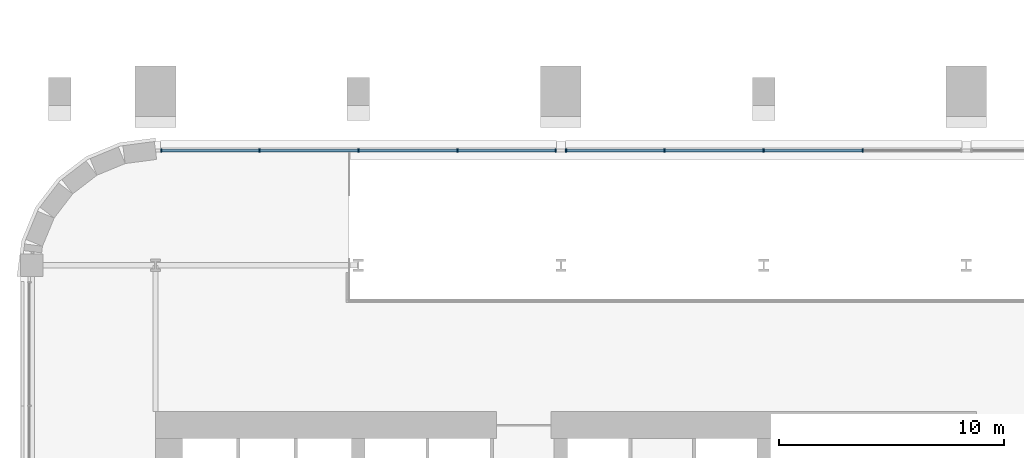
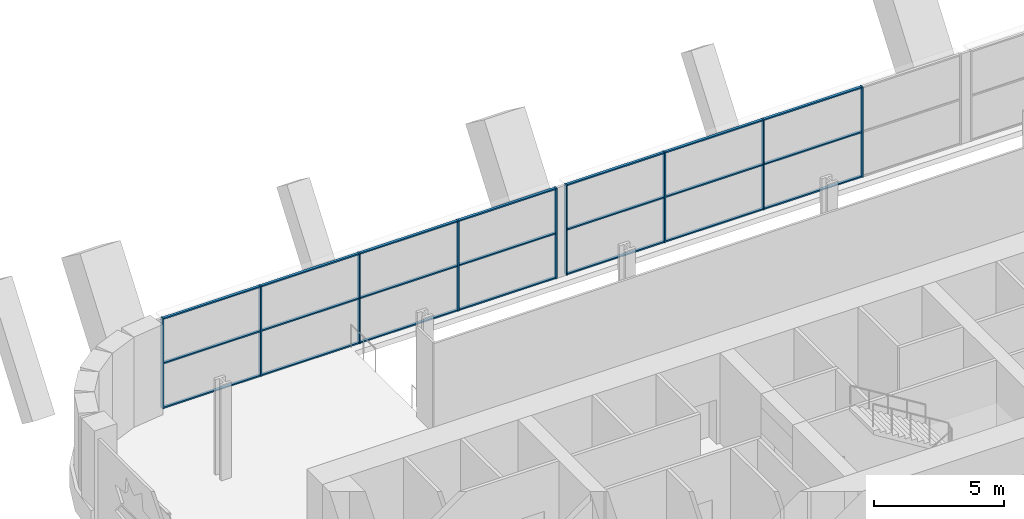
# One storey, part 8 of 21: 30 members, 2 elements without a shape of their own.
"""IFC4 building model written with IfcOpenShell, lengths in metres."""

import ifcopenshell
import ifcopenshell.guid

model = None  # the IFC model being written
_history = None  # IfcOwnerHistory: only IFC2X3 demands one
_inside = {}  # id of a spatial element -> (the spatial element, [elements in it])
_under = {}  # id of a project, library or spatial element -> (it, [spatial elements below it])
_declared = {}  # id of a project -> (the project, [libraries it declares])
_typed = {}  # id of a type object -> (the type object, [elements of that type])
_made_of = {}  # id of a material, layer set ... -> (it, [elements and type objects made of it])


def new_model(schema):
    """Start an empty IFC model of exactly this schema.

    Asked for "IFC4X3", IfcOpenShell would pick the latest addendum, in which some entities
    have other attributes; the version numbers below select the first issue.
    IFC2X3 requires an IfcOwnerHistory on every rooted entity: one is made here for all.
    """
    global model, _history
    if schema == "IFC4X3":
        model = ifcopenshell.file(schema_version=(4, 3, 0, 0))
    else:
        model = ifcopenshell.file(schema=schema)
    _inside.clear()
    _under.clear()
    _declared.clear()
    _typed.clear()
    _made_of.clear()
    _history = None
    if model.schema == "IFC2X3":
        org = make("IfcOrganization", Name="unknown")
        user = make(
            "IfcPersonAndOrganization",
            ThePerson=make("IfcPerson", FamilyName="unknown"),
            TheOrganization=org,
        )
        app = make(
            "IfcApplication",
            ApplicationDeveloper=org,
            Version="unknown",
            ApplicationFullName="unknown",
            ApplicationIdentifier="unknown",
        )
        _history = make(
            "IfcOwnerHistory",
            OwningUser=user,
            OwningApplication=app,
            ChangeAction="ADDED",
            CreationDate=0,
        )
    return model


def make(cls, **values):
    """One entity of the class cls with the attributes given. An attribute that is None is left unset."""
    return model.create_entity(
        cls, **{name: value for name, value in values.items() if value is not None}
    )


def rooted(cls, **values):
    """An entity with a GlobalId (a new one), such as an element, a storey or a relation."""
    return make(cls, GlobalId=ifcopenshell.guid.new(), OwnerHistory=_history, **values)


def si_unit(unit_type, name, prefix=None):
    """IfcSIUnit, for example si_unit("LENGTHUNIT", "METRE", prefix="MILLI")."""
    return make("IfcSIUnit", UnitType=unit_type, Prefix=prefix, Name=name)


def assignment(units):
    """IfcUnitAssignment: the units of a project."""
    return None if units is None else make("IfcUnitAssignment", Units=units)


def point(xyz):
    """IfcCartesianPoint."""
    return None if xyz is None else make("IfcCartesianPoint", Coordinates=xyz)


def direction(xyz):
    """IfcDirection."""
    return None if xyz is None else make("IfcDirection", DirectionRatios=xyz)


def frame(location, z_axis=None, x_axis=None):
    """IfcAxis2Placement3D, a coordinate frame: its origin and axes. An axis left out is left unset."""
    return make(
        "IfcAxis2Placement3D",
        Location=point(location),
        Axis=direction(z_axis),
        RefDirection=direction(x_axis),
    )


def frame_2d(location, x_axis=None):
    """IfcAxis2Placement2D, a coordinate frame in the plane: its origin and x axis."""
    return make(
        "IfcAxis2Placement2D", Location=point(location), RefDirection=direction(x_axis)
    )


def origin():
    """The frame at (0, 0, 0) with its axes left unset."""
    return frame((0.0, 0.0, 0.0))


def origin_2d():
    """The frame at (0, 0) in the plane with its x axis left unset."""
    return frame_2d((0.0, 0.0))


def place(relative_to, where):
    """IfcLocalPlacement: puts the frame where relative to a parent placement (None: the world)."""
    return make(
        "IfcLocalPlacement", PlacementRelTo=relative_to, RelativePlacement=where
    )


def context(
    kind, dimensions, precision=None, world=None, true_north=None, identifier=None
):
    """IfcGeometricRepresentationContext, for example the 3D "Model" context."""
    return make(
        "IfcGeometricRepresentationContext",
        ContextIdentifier=identifier,
        ContextType=kind,
        CoordinateSpaceDimension=dimensions,
        Precision=precision,
        WorldCoordinateSystem=world,
        TrueNorth=true_north,
    )


def subcontext(parent, identifier, kind, view, scale=None):
    """IfcGeometricRepresentationSubContext, for example "Body" below "Model"."""
    return make(
        "IfcGeometricRepresentationSubContext",
        ContextIdentifier=identifier,
        ContextType=kind,
        ParentContext=parent,
        TargetScale=scale,
        TargetView=view,
    )


def project(units=None, contexts=None):
    """IfcProject with its units and contexts."""
    return rooted(
        "IfcProject",
        Name="project",
        RepresentationContexts=contexts,
        UnitsInContext=assignment(units),
    )


def spatial(cls, under=None, at=None, **own):
    """A site, building, storey or space (cls), placed at a placement, below another one or the project."""
    s = rooted(cls, ObjectPlacement=at, **own)
    if under is not None:
        _under.setdefault(under.id(), (under, []))[1].append(s)
    return s


def profile(cls, at=None, kind="AREA", **sizes):
    """A parametric profile (cls). Its sizes go by their IFC names, for example OverallWidth=200.0."""
    return make(cls, ProfileType=kind, Position=at, **sizes)


def rectangle(**sizes):
    """IfcRectangleProfileDef."""
    return profile("IfcRectangleProfileDef", **sizes)


def extrude(swept, where, along, depth):
    """IfcExtrudedAreaSolid: the profile swept, set in the frame where, extruded along a direction by depth."""
    return make(
        "IfcExtrudedAreaSolid",
        SweptArea=swept,
        Position=where,
        ExtrudedDirection=direction(along),
        Depth=depth,
    )


def shape(context_of_items, identifier, shape_type, items):
    """IfcShapeRepresentation: the items that make up one representation, for example the "Body"."""
    return make(
        "IfcShapeRepresentation",
        ContextOfItems=context_of_items,
        RepresentationIdentifier=identifier,
        RepresentationType=shape_type,
        Items=items,
    )


def material(Name=None, Category=None):
    """IfcMaterial."""
    return make("IfcMaterial", Name=Name, Category=Category)


def material_profile(
    of_material, cross_section, Name=None, Category=None, Priority=None
):
    """IfcMaterialProfile: a cross section and its material."""
    return make(
        "IfcMaterialProfile",
        Name=Name,
        Material=of_material,
        Profile=cross_section,
        Priority=Priority,
        Category=Category,
    )


def profile_set(profiles, Name=None, composite=None):
    """IfcMaterialProfileSet."""
    return make(
        "IfcMaterialProfileSet",
        Name=Name,
        MaterialProfiles=profiles,
        CompositeProfile=composite,
    )


def made_of(thing, what):
    """Note that an element or type object is made of a material, layer set ...; save() writes the relation."""
    if what is not None:
        _made_of.setdefault(what.id(), (what, []))[1].append(thing)
    return thing


def type_object(cls, material=None, **own):
    """A type object (cls), such as IfcWallType, which elements share."""
    return made_of(rooted(cls, **own), material)


def element(
    cls,
    number,
    at=None,
    inside=None,
    cuts=None,
    type_object=None,
    material=None,
    context=None,
    identifier="Body",
    shape_type=None,
    held_by="IfcProductDefinitionShape",
    body=None,
    shapes=None,
    **own,
):
    """One element of the class cls, such as IfcWall. Its Tag is "e" and its number.

    at: its placement. inside: the storey or other place that contains it. cuts: it is an
    opening in that element (IfcRelVoidsElement). A single representation is given by context,
    identifier, shape_type and body (its items); several are given by shapes. held_by: the class
    of the entity that holds the representations. save() writes the other relations.
    """
    e = rooted(cls, Tag="e%d" % number, ObjectPlacement=at, **own)
    if body is not None:
        shapes = [shape(context, identifier, shape_type, body)]
    if shapes is not None:
        e.Representation = make(held_by, Representations=shapes)
    if inside is not None:
        _inside.setdefault(inside.id(), (inside, []))[1].append(e)
    if cuts is not None:
        rooted(
            "IfcRelVoidsElement", RelatingBuildingElement=cuts, RelatedOpeningElement=e
        )
    if type_object is not None:
        _typed.setdefault(type_object.id(), (type_object, []))[1].append(e)
    return made_of(e, material)


def aggregate(whole, parts):
    """IfcRelAggregates: a whole, such as a stair, and the parts it consists of."""
    return rooted("IfcRelAggregates", RelatingObject=whole, RelatedObjects=parts)


def save(model, path):
    """Write the relations noted so far, then the file.

    IfcRelAggregates (storeys below a building ...), IfcRelContainedInSpatialStructure (elements
    in a storey), IfcRelDefinesByType, IfcRelAssociatesMaterial and IfcRelDeclares: one each for
    every whole, place, type object, material and project.
    """
    for whole, parts in _under.values():
        aggregate(whole, parts)
    for where, things in _inside.values():
        rooted(
            "IfcRelContainedInSpatialStructure",
            RelatedElements=things,
            RelatingStructure=where,
        )
    for kind, things in _typed.values():
        rooted("IfcRelDefinesByType", RelatedObjects=things, RelatingType=kind)
    for what, things in _made_of.values():
        rooted("IfcRelAssociatesMaterial", RelatedObjects=things, RelatingMaterial=what)
    for by, libraries in _declared.values():
        rooted("IfcRelDeclares", RelatingContext=by, RelatedDefinitions=libraries)
    model.write(path)


model = new_model("IFC4")

# Units and contexts
model_context = context("Model", 3, precision=1e-05, world=origin(), true_north=direction((0.0, 1.0)))
body_context = subcontext(model_context, "Body", "Model", "MODEL_VIEW")
ifc_project = project(units=[si_unit("LENGTHUNIT", "METRE"), si_unit("AREAUNIT", "SQUARE_METRE"), si_unit("VOLUMEUNIT", "CUBIC_METRE"), si_unit("PLANEANGLEUNIT", "RADIAN"), si_unit("MASSUNIT", "GRAM", prefix="KILO")], contexts=[model_context])

# Site, building, storey
site_placement = place(None, origin())
site = spatial("IfcSite", under=ifc_project, at=site_placement, CompositionType="ELEMENT")
building_placement = place(site_placement, origin())
building = spatial("IfcBuilding", under=site, at=building_placement, Name="Zellij Exchange Tower", CompositionType="ELEMENT")
storey_placement = place(building_placement, frame((0.0, 0.0, 43.5)))
storey = spatial("IfcBuildingStorey", under=building, at=storey_placement, Name="L07", CompositionType="ELEMENT", Elevation=43.5)

# Curtain wall, members
ifc_material_1 = material(Name="Aluminium frame, clear insulating glass", Category="aluminium")
curtain_wall_type = type_object("IfcCurtainWallType", Name="ENV-CW1 Sky-garden glazing", PredefinedType="NOTDEFINED", material=ifc_material_1)
curtain_wall_1_placement = place(storey_placement, origin())
curtain_wall_1 = element("IfcCurtainWall", 1, at=curtain_wall_1_placement, inside=storey, type_object=curtain_wall_type, Name="cw.L07.14b", PredefinedType="NOTDEFINED")
ifc_material_2 = material(Name="Aluminium", Category="aluminium")
ifc_material_profile_1 = material_profile(ifc_material_2, rectangle(XDim=0.06005859375, YDim=0.159912109375, at=origin_2d()), Name="AL 60x160")
ifc_profile_set_1 = profile_set([ifc_material_profile_1], Name="Aluminium")
member_type_1 = type_object("IfcMemberType", Name="ENV-CW1M Mullion 60x160", PredefinedType="MULLION", material=ifc_profile_set_1)
member_1_placement = place(storey_placement, frame((4.39990234375, 9.60009765625, 0.0), z_axis=(0.0, 0.0, 1.0), x_axis=(-1.0, 0.0, 0.0)))
member_1 = element("IfcMember", 2, at=member_1_placement, type_object=member_type_1, Name="CW1 mullion 2", PredefinedType="MULLION", context=body_context, shape_type="SweptSolid", body=[
    extrude(rectangle(XDim=0.06005859375, YDim=0.159912109375, at=origin_2d()), origin(), (0.0, 0.0, 1.0), 4.25),
])
member_2_placement = place(storey_placement, frame((0.0, 9.60009765625, 0.0), z_axis=(0.0, 0.0, 1.0), x_axis=(-1.0, 0.0, 0.0)))
member_2 = element("IfcMember", 3, at=member_2_placement, type_object=member_type_1, Name="CW1 mullion 3", PredefinedType="MULLION", context=body_context, shape_type="SweptSolid", body=[
    extrude(rectangle(XDim=0.06005859375, YDim=0.159912109375, at=origin_2d()), origin(), (0.0, 0.0, 1.0), 4.25),
])
member_3_placement = place(storey_placement, frame((-4.39990234375, 9.60009765625, 0.0), z_axis=(0.0, 0.0, 1.0), x_axis=(-1.0, 0.0, 0.0)))
member_3 = element("IfcMember", 4, at=member_3_placement, type_object=member_type_1, Name="CW1 mullion 4", PredefinedType="MULLION", context=body_context, shape_type="SweptSolid", body=[
    extrude(rectangle(XDim=0.06005859375, YDim=0.159912109375, at=origin_2d()), origin(), (0.0, 0.0, 1.0), 4.25),
])
member_4_placement = place(storey_placement, frame((-8.77001953125, 9.60009765625, 0.0), z_axis=(0.0, 0.0, 1.0), x_axis=(-1.0, 0.0, 0.0)))
member_4 = element("IfcMember", 5, at=member_4_placement, type_object=member_type_1, Name="CW1 mullion 5", PredefinedType="MULLION", context=body_context, shape_type="SweptSolid", body=[
    extrude(rectangle(XDim=0.06005859375, YDim=0.159912109375, at=origin_2d()), origin(), (0.0, 0.0, 1.0), 4.25),
])

curtain_wall_2_placement = place(storey_placement, origin())
curtain_wall_2 = element("IfcCurtainWall", 6, at=curtain_wall_2_placement, inside=storey, type_object=curtain_wall_type, Name="cw.L07.14c", PredefinedType="NOTDEFINED")
member_5_placement = place(storey_placement, frame((-9.22998046875, 9.60009765625, 0.0), z_axis=(0.0, 0.0, 1.0), x_axis=(-1.0, 0.0, 0.0)))
member_5 = element("IfcMember", 7, at=member_5_placement, type_object=member_type_1, Name="CW1 mullion 1", PredefinedType="MULLION", context=body_context, shape_type="SweptSolid", body=[
    extrude(rectangle(XDim=0.06005859375, YDim=0.159912109375, at=origin_2d()), origin(), (0.0, 0.0, 1.0), 4.25),
])
member_6_placement = place(storey_placement, frame((-13.593505859375, 9.60009765625, 0.0), z_axis=(0.0, 0.0, 1.0), x_axis=(-1.0, 0.0, 0.0)))
member_6 = element("IfcMember", 8, at=member_6_placement, type_object=member_type_1, Name="CW1 mullion 2", PredefinedType="MULLION", context=body_context, shape_type="SweptSolid", body=[
    extrude(rectangle(XDim=0.06005859375, YDim=0.159912109375, at=origin_2d()), origin(), (0.0, 0.0, 1.0), 4.25),
])
member_7_placement = place(storey_placement, frame((-17.98681640625, 9.60009765625, 0.0), z_axis=(0.0, 0.0, 1.0), x_axis=(-1.0, 0.0, 0.0)))
member_7 = element("IfcMember", 9, at=member_7_placement, type_object=member_type_1, Name="CW1 mullion 3", PredefinedType="MULLION", context=body_context, shape_type="SweptSolid", body=[
    extrude(rectangle(XDim=0.06005859375, YDim=0.159912109375, at=origin_2d()), origin(), (0.0, 0.0, 1.0), 4.25),
])
member_8_placement = place(storey_placement, frame((-22.38037109375, 9.60009765625, 0.0), z_axis=(0.0, 0.0, 1.0), x_axis=(-1.0, 0.0, 0.0)))
member_8 = element("IfcMember", 10, at=member_8_placement, type_object=member_type_1, Name="CW1 mullion 4", PredefinedType="MULLION", context=body_context, shape_type="SweptSolid", body=[
    extrude(rectangle(XDim=0.06005859375, YDim=0.159912109375, at=origin_2d()), origin(), (0.0, 0.0, 1.0), 4.25),
])
member_9_placement = place(storey_placement, frame((-26.743896484375, 9.60009765625, 0.0), z_axis=(0.0, 0.0, 1.0), x_axis=(-1.0, 0.0, 0.0)))
member_9 = element("IfcMember", 11, at=member_9_placement, type_object=member_type_1, Name="CW1 mullion 5", PredefinedType="MULLION", context=body_context, shape_type="SweptSolid", body=[
    extrude(rectangle(XDim=0.06005859375, YDim=0.159912109375, at=origin_2d()), origin(), (0.0, 0.0, 1.0), 4.25),
])

# Member
ifc_material_profile_2 = material_profile(ifc_material_2, rectangle(XDim=0.1201171875, YDim=0.06005859375, at=origin_2d()), Name="AL 120x60")
ifc_profile_set_2 = profile_set([ifc_material_profile_2], Name="Aluminium")
member_type_2 = type_object("IfcMemberType", Name="ENV-CW1T Transom 120x60", PredefinedType="USERDEFINED", material=ifc_profile_set_2)
member_10_placement = place(storey_placement, frame((4.3701171875, 9.60009765625, 0.030029296875), z_axis=(-1.0, 0.0, 0.0), x_axis=(0.0, -1.0, 0.0)))
member_10 = element("IfcMember", 12, at=member_10_placement, type_object=member_type_2, Name="CW1 transom 2.1", ObjectType="TRANSOM", PredefinedType="USERDEFINED", context=body_context, shape_type="SweptSolid", body=[
    extrude(rectangle(XDim=0.1201171875, YDim=0.06005859375, at=origin_2d()), origin(), (0.0, 0.0, 1.0), 4.340087890625),
])

member_11_placement = place(storey_placement, frame((4.3701171875, 9.60009765625, 2.125), z_axis=(-1.0, 0.0, 0.0), x_axis=(0.0, -1.0, 0.0)))
member_11 = element("IfcMember", 13, at=member_11_placement, type_object=member_type_2, Name="CW1 transom 2.2", ObjectType="TRANSOM", PredefinedType="USERDEFINED", context=body_context, shape_type="SweptSolid", body=[
    extrude(rectangle(XDim=0.1201171875, YDim=0.06005859375, at=origin_2d()), origin(), (0.0, 0.0, 1.0), 4.340087890625),
])

member_12_placement = place(storey_placement, frame((4.3701171875, 9.60009765625, 4.219970703125), z_axis=(-1.0, 0.0, 0.0), x_axis=(0.0, -1.0, 0.0)))
member_12 = element("IfcMember", 14, at=member_12_placement, type_object=member_type_2, Name="CW1 transom 2.3", ObjectType="TRANSOM", PredefinedType="USERDEFINED", context=body_context, shape_type="SweptSolid", body=[
    extrude(rectangle(XDim=0.1201171875, YDim=0.06005859375, at=origin_2d()), origin(), (0.0, 0.0, 1.0), 4.340087890625),
])

member_13_placement = place(storey_placement, frame((-0.030029296875, 9.60009765625, 0.030029296875), z_axis=(-1.0, 0.0, 0.0), x_axis=(0.0, -1.0, 0.0)))
member_13 = element("IfcMember", 15, at=member_13_placement, type_object=member_type_2, Name="CW1 transom 3.1", ObjectType="TRANSOM", PredefinedType="USERDEFINED", context=body_context, shape_type="SweptSolid", body=[
    extrude(rectangle(XDim=0.1201171875, YDim=0.06005859375, at=origin_2d()), origin(), (0.0, 0.0, 1.0), 4.340087890625),
])

member_14_placement = place(storey_placement, frame((-0.030029296875, 9.60009765625, 2.125), z_axis=(-1.0, 0.0, 0.0), x_axis=(0.0, -1.0, 0.0)))
member_14 = element("IfcMember", 16, at=member_14_placement, type_object=member_type_2, Name="CW1 transom 3.2", ObjectType="TRANSOM", PredefinedType="USERDEFINED", context=body_context, shape_type="SweptSolid", body=[
    extrude(rectangle(XDim=0.1201171875, YDim=0.06005859375, at=origin_2d()), origin(), (0.0, 0.0, 1.0), 4.340087890625),
])

member_15_placement = place(storey_placement, frame((-0.030029296875, 9.60009765625, 4.219970703125), z_axis=(-1.0, 0.0, 0.0), x_axis=(0.0, -1.0, 0.0)))
member_15 = element("IfcMember", 17, at=member_15_placement, type_object=member_type_2, Name="CW1 transom 3.3", ObjectType="TRANSOM", PredefinedType="USERDEFINED", context=body_context, shape_type="SweptSolid", body=[
    extrude(rectangle(XDim=0.1201171875, YDim=0.06005859375, at=origin_2d()), origin(), (0.0, 0.0, 1.0), 4.340087890625),
])

member_16_placement = place(storey_placement, frame((-4.429931640625, 9.60009765625, 0.030029296875), z_axis=(-1.0, 0.0, 0.0), x_axis=(0.0, -1.0, 0.0)))
member_16 = element("IfcMember", 18, at=member_16_placement, type_object=member_type_2, Name="CW1 transom 4.1", ObjectType="TRANSOM", PredefinedType="USERDEFINED", context=body_context, shape_type="SweptSolid", body=[
    extrude(rectangle(XDim=0.1201171875, YDim=0.06005859375, at=origin_2d()), origin(), (0.0, 0.0, 1.0), 4.31005859375),
])

member_17_placement = place(storey_placement, frame((-4.429931640625, 9.60009765625, 2.125), z_axis=(-1.0, 0.0, 0.0), x_axis=(0.0, -1.0, 0.0)))
member_17 = element("IfcMember", 19, at=member_17_placement, type_object=member_type_2, Name="CW1 transom 4.2", ObjectType="TRANSOM", PredefinedType="USERDEFINED", context=body_context, shape_type="SweptSolid", body=[
    extrude(rectangle(XDim=0.1201171875, YDim=0.06005859375, at=origin_2d()), origin(), (0.0, 0.0, 1.0), 4.31005859375),
])

member_18_placement = place(storey_placement, frame((-4.429931640625, 9.60009765625, 4.219970703125), z_axis=(-1.0, 0.0, 0.0), x_axis=(0.0, -1.0, 0.0)))
member_18 = element("IfcMember", 20, at=member_18_placement, type_object=member_type_2, Name="CW1 transom 4.3", ObjectType="TRANSOM", PredefinedType="USERDEFINED", context=body_context, shape_type="SweptSolid", body=[
    extrude(rectangle(XDim=0.1201171875, YDim=0.06005859375, at=origin_2d()), origin(), (0.0, 0.0, 1.0), 4.31005859375),
])

aggregate(curtain_wall_1, [member_1, member_2, member_3, member_4, member_10, member_11, member_12, member_13, member_14, member_15, member_16, member_17, member_18])

member_19_placement = place(storey_placement, frame((-9.260009765625, 9.60009765625, 0.030029296875), z_axis=(-1.0, 0.0, 0.0), x_axis=(0.0, -1.0, 0.0)))
member_19 = element("IfcMember", 21, at=member_19_placement, type_object=member_type_2, Name="CW1 transom 1.1", ObjectType="TRANSOM", PredefinedType="USERDEFINED", context=body_context, shape_type="SweptSolid", body=[
    extrude(rectangle(XDim=0.1201171875, YDim=0.06005859375, at=origin_2d()), origin(), (0.0, 0.0, 1.0), 4.303466796875),
])

member_20_placement = place(storey_placement, frame((-9.260009765625, 9.60009765625, 2.125), z_axis=(-1.0, 0.0, 0.0), x_axis=(0.0, -1.0, 0.0)))
member_20 = element("IfcMember", 22, at=member_20_placement, type_object=member_type_2, Name="CW1 transom 1.2", ObjectType="TRANSOM", PredefinedType="USERDEFINED", context=body_context, shape_type="SweptSolid", body=[
    extrude(rectangle(XDim=0.1201171875, YDim=0.06005859375, at=origin_2d()), origin(), (0.0, 0.0, 1.0), 4.303466796875),
])

member_21_placement = place(storey_placement, frame((-9.260009765625, 9.60009765625, 4.219970703125), z_axis=(-1.0, 0.0, 0.0), x_axis=(0.0, -1.0, 0.0)))
member_21 = element("IfcMember", 23, at=member_21_placement, type_object=member_type_2, Name="CW1 transom 1.3", ObjectType="TRANSOM", PredefinedType="USERDEFINED", context=body_context, shape_type="SweptSolid", body=[
    extrude(rectangle(XDim=0.1201171875, YDim=0.06005859375, at=origin_2d()), origin(), (0.0, 0.0, 1.0), 4.303466796875),
])

member_22_placement = place(storey_placement, frame((-13.62353515625, 9.60009765625, 0.030029296875), z_axis=(-1.0, 0.0, 0.0), x_axis=(0.0, -1.0, 0.0)))
member_22 = element("IfcMember", 24, at=member_22_placement, type_object=member_type_2, Name="CW1 transom 2.1", ObjectType="TRANSOM", PredefinedType="USERDEFINED", context=body_context, shape_type="SweptSolid", body=[
    extrude(rectangle(XDim=0.1201171875, YDim=0.06005859375, at=origin_2d()), origin(), (0.0, 0.0, 1.0), 4.333251953125),
])

member_23_placement = place(storey_placement, frame((-13.62353515625, 9.60009765625, 2.125), z_axis=(-1.0, 0.0, 0.0), x_axis=(0.0, -1.0, 0.0)))
member_23 = element("IfcMember", 25, at=member_23_placement, type_object=member_type_2, Name="CW1 transom 2.2", ObjectType="TRANSOM", PredefinedType="USERDEFINED", context=body_context, shape_type="SweptSolid", body=[
    extrude(rectangle(XDim=0.1201171875, YDim=0.06005859375, at=origin_2d()), origin(), (0.0, 0.0, 1.0), 4.333251953125),
])

member_24_placement = place(storey_placement, frame((-13.62353515625, 9.60009765625, 4.219970703125), z_axis=(-1.0, 0.0, 0.0), x_axis=(0.0, -1.0, 0.0)))
member_24 = element("IfcMember", 26, at=member_24_placement, type_object=member_type_2, Name="CW1 transom 2.3", ObjectType="TRANSOM", PredefinedType="USERDEFINED", context=body_context, shape_type="SweptSolid", body=[
    extrude(rectangle(XDim=0.1201171875, YDim=0.06005859375, at=origin_2d()), origin(), (0.0, 0.0, 1.0), 4.333251953125),
])

member_25_placement = place(storey_placement, frame((-18.016845703125, 9.60009765625, 0.030029296875), z_axis=(-1.0, 0.0, 0.0), x_axis=(0.0, -1.0, 0.0)))
member_25 = element("IfcMember", 27, at=member_25_placement, type_object=member_type_2, Name="CW1 transom 3.1", ObjectType="TRANSOM", PredefinedType="USERDEFINED", context=body_context, shape_type="SweptSolid", body=[
    extrude(rectangle(XDim=0.1201171875, YDim=0.06005859375, at=origin_2d()), origin(), (0.0, 0.0, 1.0), 4.33349609375),
])

member_26_placement = place(storey_placement, frame((-18.016845703125, 9.60009765625, 2.125), z_axis=(-1.0, 0.0, 0.0), x_axis=(0.0, -1.0, 0.0)))
member_26 = element("IfcMember", 28, at=member_26_placement, type_object=member_type_2, Name="CW1 transom 3.2", ObjectType="TRANSOM", PredefinedType="USERDEFINED", context=body_context, shape_type="SweptSolid", body=[
    extrude(rectangle(XDim=0.1201171875, YDim=0.06005859375, at=origin_2d()), origin(), (0.0, 0.0, 1.0), 4.33349609375),
])

member_27_placement = place(storey_placement, frame((-18.016845703125, 9.60009765625, 4.219970703125), z_axis=(-1.0, 0.0, 0.0), x_axis=(0.0, -1.0, 0.0)))
member_27 = element("IfcMember", 29, at=member_27_placement, type_object=member_type_2, Name="CW1 transom 3.3", ObjectType="TRANSOM", PredefinedType="USERDEFINED", context=body_context, shape_type="SweptSolid", body=[
    extrude(rectangle(XDim=0.1201171875, YDim=0.06005859375, at=origin_2d()), origin(), (0.0, 0.0, 1.0), 4.33349609375),
])

member_28_placement = place(storey_placement, frame((-22.410400390625, 9.60009765625, 0.030029296875), z_axis=(-1.0, 0.0, 0.0), x_axis=(0.0, -1.0, 0.0)))
member_28 = element("IfcMember", 30, at=member_28_placement, type_object=member_type_2, Name="CW1 transom 4.1", ObjectType="TRANSOM", PredefinedType="USERDEFINED", context=body_context, shape_type="SweptSolid", body=[
    extrude(rectangle(XDim=0.1201171875, YDim=0.06005859375, at=origin_2d()), origin(), (0.0, 0.0, 1.0), 4.303466796875),
])

member_29_placement = place(storey_placement, frame((-22.410400390625, 9.60009765625, 2.125), z_axis=(-1.0, 0.0, 0.0), x_axis=(0.0, -1.0, 0.0)))
member_29 = element("IfcMember", 31, at=member_29_placement, type_object=member_type_2, Name="CW1 transom 4.2", ObjectType="TRANSOM", PredefinedType="USERDEFINED", context=body_context, shape_type="SweptSolid", body=[
    extrude(rectangle(XDim=0.1201171875, YDim=0.06005859375, at=origin_2d()), origin(), (0.0, 0.0, 1.0), 4.303466796875),
])

member_30_placement = place(storey_placement, frame((-22.410400390625, 9.60009765625, 4.219970703125), z_axis=(-1.0, 0.0, 0.0), x_axis=(0.0, -1.0, 0.0)))
member_30 = element("IfcMember", 32, at=member_30_placement, type_object=member_type_2, Name="CW1 transom 4.3", ObjectType="TRANSOM", PredefinedType="USERDEFINED", context=body_context, shape_type="SweptSolid", body=[
    extrude(rectangle(XDim=0.1201171875, YDim=0.06005859375, at=origin_2d()), origin(), (0.0, 0.0, 1.0), 4.303466796875),
])

aggregate(curtain_wall_2, [member_5, member_6, member_7, member_8, member_9, member_19, member_20, member_21, member_22, member_23, member_24, member_25, member_26, member_27, member_28, member_29, member_30])

save(model, "model.ifc")
